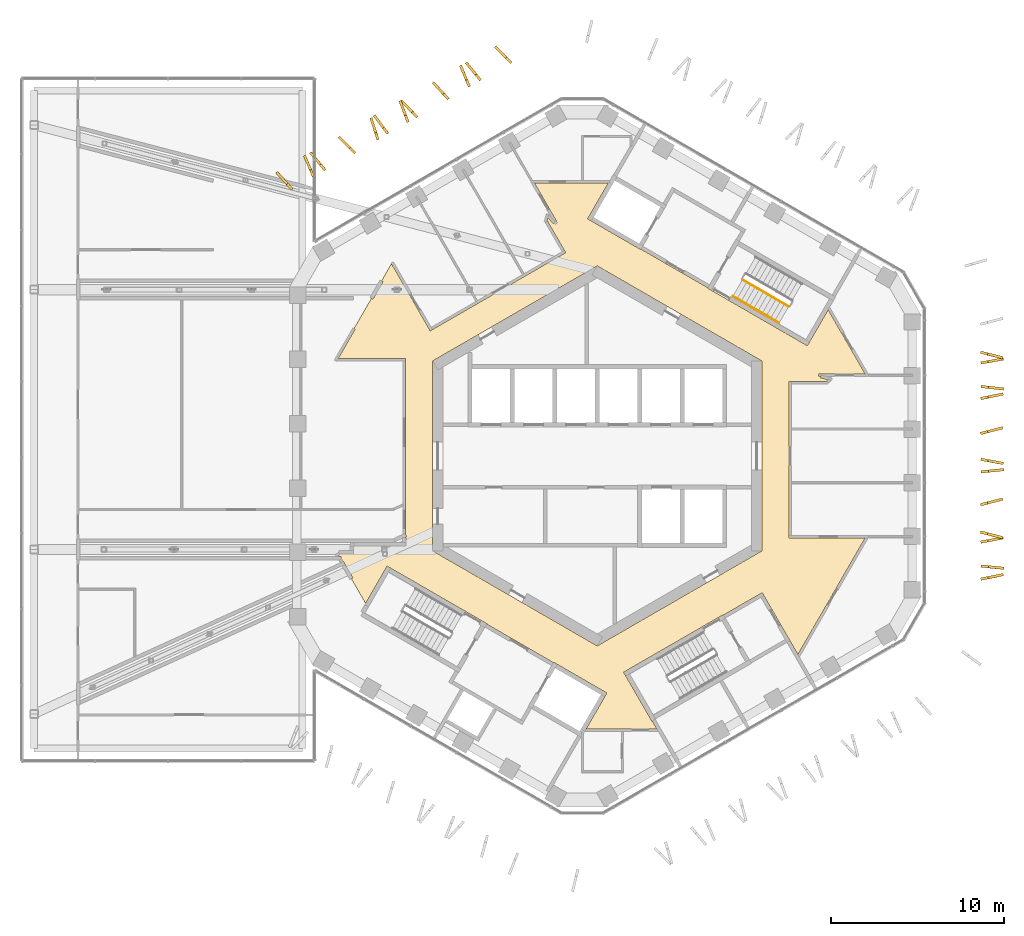
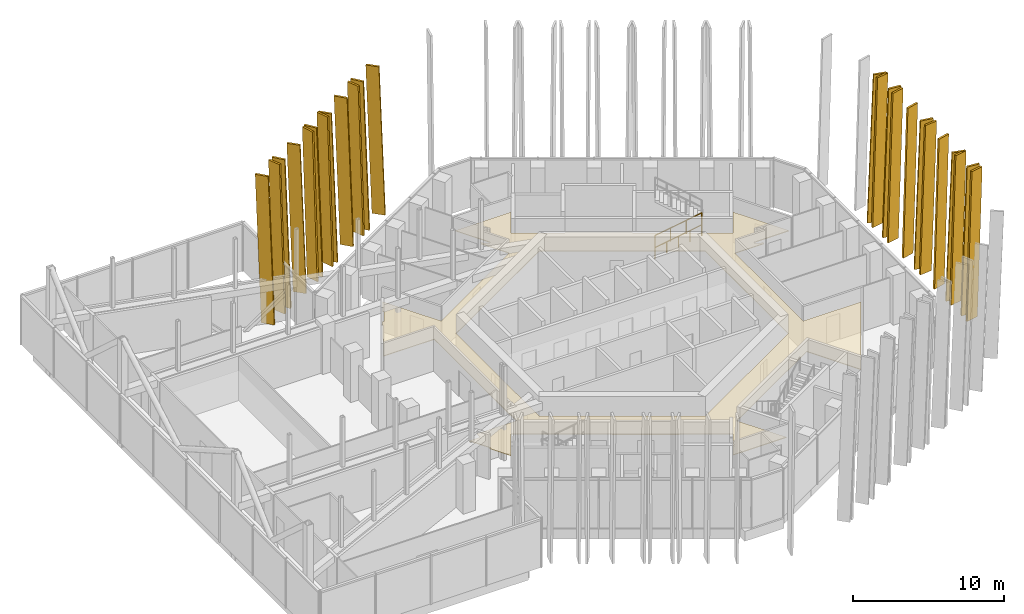
# One storey, part 27 of 28: 24 shading devices, 3 railings, 1 covering.
"""IFC4 building model written with IfcOpenShell, lengths in metres."""

from ifc_helpers import new_model, si_unit, direction, frame, origin, origin_2d, place, context, subcontext, project, spatial, polyline, circle, outline, extrude, material, layer, layer_set, type_object, element, save


model = new_model("IFC4")

# Units and contexts
model_context = context("Model", 3, precision=1e-05, world=origin(), true_north=direction((0.0, 1.0)))
body_context = subcontext(model_context, "Body", "Model", "MODEL_VIEW")
ifc_project = project(units=[si_unit("LENGTHUNIT", "METRE"), si_unit("AREAUNIT", "SQUARE_METRE"), si_unit("VOLUMEUNIT", "CUBIC_METRE"), si_unit("PLANEANGLEUNIT", "RADIAN"), si_unit("MASSUNIT", "GRAM", prefix="KILO")], contexts=[model_context])

# Site, building, storey
site_placement = place(None, origin())
site = spatial("IfcSite", under=ifc_project, at=site_placement, CompositionType="ELEMENT")
building_placement = place(site_placement, origin())
building = spatial("IfcBuilding", under=site, at=building_placement, Name="Ayvan Gate Tower", CompositionType="ELEMENT")
storey_placement = place(building_placement, frame((0.0, 0.0, 202.10009765625)))
storey = spatial("IfcBuildingStorey", under=building, at=storey_placement, Name="L54", CompositionType="ELEMENT", Elevation=202.10009765625)

# Shading devices
ifc_material_1 = material(Name="Bronze anodised aluminium", Category="aluminium")
ifc_layer_1 = layer(ifc_material_1, 0.14990234375)
ifc_layer_set_1 = layer_set([ifc_layer_1], Name="Bronze anodised aluminium")
shading_device_type = type_object("IfcShadingDeviceType", Name="Bronze fin 900 x 150", PredefinedType="USERDEFINED", material=ifc_layer_set_1)
shading_device_1_placement = place(storey_placement, frame((22.15576171875, -7.187744140625, 0.0), z_axis=(0.197785453148, -0.98024532541, 0.000128590982), x_axis=(0.980245333514, 0.197785454783, 0.0)))
element("IfcShadingDevice", 1, at=shading_device_1_placement, inside=storey, type_object=shading_device_type, Name="Bronze fin FG20.5.33", ObjectType="FIN", PredefinedType="USERDEFINED", context=body_context, shape_type="SweptSolid", body=[
    extrude(outline(polyline([(0.0, 0.0), (0.8998564420223286, 0.0), (1.324315111980498, 11.879882910720738), (0.4244586699581694, 11.879882910720738), (0.0, 0.0)])), origin(), (0.0, 0.0, -1.0), 0.14990234375),
])
shading_device_2_placement = place(storey_placement, frame((22.149658203125, -6.43212890625, 0.0), z_axis=(-0.098200983143, -0.99516659298, 0.000138295933), x_axis=(0.995166602497, -0.098200984082, -1.842e-09)))
element("IfcShadingDevice", 2, at=shading_device_2_placement, inside=storey, type_object=shading_device_type, Name="Bronze fin FG20.5.34", ObjectType="FIN", PredefinedType="USERDEFINED", context=body_context, shape_type="SweptSolid", body=[
    extrude(outline(polyline([(0.0, 0.0), (0.8998583628409434, 0.0), (1.3243550085111564, 11.87988292854579), (0.42425368507389993, 11.879882925229717), (0.0, 0.0)])), origin(), (0.0, 0.0, -1.0), 0.14990234375),
])
shading_device_3_placement = place(storey_placement, frame((22.1572265625, -5.049072265625, 0.0), z_axis=(0.187317787217, -0.982299359178, 0.000124703916), x_axis=(0.982299366816, 0.187317788671, -1.6616e-08)))
element("IfcShadingDevice", 3, at=shading_device_3_placement, inside=storey, type_object=shading_device_type, Name="Bronze fin FG20.5.35", ObjectType="FIN", PredefinedType="USERDEFINED", context=body_context, shape_type="SweptSolid", body=[
    extrude(outline(polyline([(0.0, 0.0), (0.8999402542539706, 0.0), (1.3242545650703808, 11.879882926875931), (0.4242685789344102, 11.879882896968779), (0.0, 0.0)])), origin(), (0.0, 0.0, -1.0), 0.14990234375),
])
shading_device_4_placement = place(storey_placement, frame((22.109375, -4.465087890625, 0.0), z_axis=(-0.249869811456, -0.968279432234, 0.000135779599), x_axis=(0.968279441159, -0.24986981376, 0.0)))
element("IfcShadingDevice", 4, at=shading_device_4_placement, inside=storey, type_object=shading_device_type, Name="Bronze fin FG20.5.36", ObjectType="FIN", PredefinedType="USERDEFINED", context=body_context, shape_type="SweptSolid", body=[
    extrude(outline(polyline([(0.0, 0.0), (0.8998826718676978, -3.3881317890172014e-21), (1.3243199615753416, 11.879882922009354), (0.4244372897076439, 11.879882922009354), (0.0, 0.0)])), origin(), (0.0, 0.0, -1.0), 0.14990234375),
])
shading_device_5_placement = place(storey_placement, frame((22.146240234375, -2.89404296875, 0.0), z_axis=(0.25216236163, -0.967684931615, 0.000128463259), x_axis=(0.9676849396, 0.252162363709, -1.6863e-08)))
element("IfcShadingDevice", 5, at=shading_device_5_placement, inside=storey, type_object=shading_device_type, Name="Bronze fin FG20.5.37", ObjectType="FIN", PredefinedType="USERDEFINED", context=body_context, shape_type="SweptSolid", body=[
    extrude(outline(polyline([(0.0, 0.0), (0.8999001502536433, 3.3881317890172014e-21), (1.3244337964392525, 11.879882932859328), (0.4244720831085318, 11.87988290250869), (0.0, 0.0)])), origin(), (0.0, 0.0, -1.0), 0.14990234375),
])
shading_device_6_placement = place(storey_placement, frame((22.164306640625, -0.99755859375, 0.0), z_axis=(0.100390185749, -0.994948138224, 0.000113358687), x_axis=(0.994948144616, 0.100390186394, 0.0)))
element("IfcShadingDevice", 6, at=shading_device_6_placement, inside=storey, type_object=shading_device_type, Name="Bronze fin FG20.5.39", ObjectType="FIN", PredefinedType="USERDEFINED", context=body_context, shape_type="SweptSolid", body=[
    extrude(outline(polyline([(0.0, 0.0), (0.8998093787291055, 0.0), (1.3242077126140708, 11.87988288882939), (0.4243983338849653, 11.87988288882939), (0.0, 0.0)])), origin(), (0.0, 0.0, -1.0), 0.14990234375),
])
shading_device_7_placement = place(storey_placement, frame((22.130615234375, -0.269287109375, 0.0), z_axis=(-0.181749264058, -0.983344898823, 0.000122365863), x_axis=(0.983344906185, -0.181749265419, 0.0)))
element("IfcShadingDevice", 7, at=shading_device_7_placement, inside=storey, type_object=shading_device_type, Name="Bronze fin FG20.5.40", ObjectType="FIN", PredefinedType="USERDEFINED", context=body_context, shape_type="SweptSolid", body=[
    extrude(outline(polyline([(0.0, 0.0), (0.8999993390504741, -3.3881317890172014e-21), (1.3242820689957746, 11.879882901441148), (0.42428272994530053, 11.879882901441148), (0.0, 0.0)])), origin(), (0.0, 0.0, -1.0), 0.14990234375),
])
shading_device_8_placement = place(storey_placement, frame((22.1474609375, 1.2236328125, 0.0), z_axis=(0.246619052782, -0.969112493439, 0.00013366356), x_axis=(0.969112502096, 0.246619054985, 0.0)))
element("IfcShadingDevice", 8, at=shading_device_8_placement, inside=storey, type_object=shading_device_type, Name="Bronze fin FG20.5.41", ObjectType="FIN", PredefinedType="USERDEFINED", context=body_context, shape_type="SweptSolid", body=[
    extrude(outline(polyline([(0.0, 0.0), (0.899864887321148, 3.3881317890172014e-21), (1.3242534688508445, 11.879882918622682), (0.4243885815296967, 11.879882918622682), (0.0, 0.0)])), origin(), (0.0, 0.0, -1.0), 0.14990234375),
])
shading_device_9_placement = place(storey_placement, frame((22.155029296875, 3.23779296875, 0.0), z_axis=(0.202762568505, -0.979227922814, 0.00012647105), x_axis=(0.979227930646, 0.202762570125, -1.6797e-08)))
element("IfcShadingDevice", 9, at=shading_device_9_placement, inside=storey, type_object=shading_device_type, Name="Bronze fin FG20.5.43", ObjectType="FIN", PredefinedType="USERDEFINED", context=body_context, shape_type="SweptSolid", body=[
    extrude(outline(polyline([(0.0, 0.0), (0.9000186693148673, 3.3881317890172014e-21), (1.3244468078299123, 11.879882929755752), (0.4243786359344481, 11.879882899519574), (0.0, 0.0)])), origin(), (0.0, 0.0, -1.0), 0.14990234375),
])
shading_device_10_placement = place(storey_placement, frame((22.1474609375, 3.93212890625, 0.0), z_axis=(-0.109329756423, -0.994005527384, 0.000126061073), x_axis=(0.994005535282, -0.109329757292, 0.0)))
element("IfcShadingDevice", 10, at=shading_device_10_placement, inside=storey, type_object=shading_device_type, Name="Bronze fin FG20.5.44", ObjectType="FIN", PredefinedType="USERDEFINED", context=body_context, shape_type="SweptSolid", body=[
    extrude(outline(polyline([(0.0, 0.0), (0.8999258235987503, 1.6940658945086007e-21), (1.3244258836191662, 11.879882906893952), (0.424500060020416, 11.879882906893952), (0.0, 0.0)])), origin(), (0.0, 0.0, -1.0), 0.14990234375),
])
shading_device_11_placement = place(storey_placement, frame((22.158447265625, 5.292724609375, 0.0), z_axis=(0.176044115008, -0.984382270207, 0.000125191772), x_axis=(0.984382277921, 0.176044116388, 0.0)))
element("IfcShadingDevice", 11, at=shading_device_11_placement, inside=storey, type_object=shading_device_type, Name="Bronze fin FG20.5.45", ObjectType="FIN", PredefinedType="USERDEFINED", context=body_context, shape_type="SweptSolid", body=[
    extrude(outline(polyline([(0.0, 0.0), (0.900042948757702, 0.0), (1.3244129340013948, 11.879882905596585), (0.4243699852436926, 11.879882905596585), (0.0, 0.0)])), origin(), (0.0, 0.0, -1.0), 0.14990234375),
])
shading_device_12_placement = place(storey_placement, frame((22.110595703125, 5.9150390625, 0.0), z_axis=(-0.245757437975, -0.969331351659, 0.000111222539), x_axis=(0.969331357655, -0.245757439495, 3.707e-09)))
element("IfcShadingDevice", 12, at=shading_device_12_placement, inside=storey, type_object=shading_device_type, Name="Bronze fin FG20.5.46", ObjectType="FIN", PredefinedType="USERDEFINED", context=body_context, shape_type="SweptSolid", body=[
    extrude(outline(polyline([(0.0, 0.0), (0.9001578399513326, 0.0), (1.324474853828847, 11.8798828810703), (0.4245536670410042, 11.879882887742705), (0.0, 0.0)])), origin(), (0.0, 0.0, -1.0), 0.14990234375),
])
shading_device_13_placement = place(storey_placement, frame((-4.904541015625, 22.7392578125, 0.0), z_axis=(0.707987820167, 0.70622463211, 0.000124483452), x_axis=(-0.70622463758, 0.707987825654, -1.1955e-08)))
element("IfcShadingDevice", 13, at=shading_device_13_placement, inside=storey, type_object=shading_device_type, Name="Bronze fin FG20.9.65", ObjectType="FIN", PredefinedType="USERDEFINED", context=body_context, shape_type="SweptSolid", body=[
    extrude(outline(polyline([(0.0, 0.0), (0.8999391983835462, 0.0), (1.3246158239949715, 11.87988292038133), (0.424504207487016, 11.879882898862482), (0.0, 0.0)])), origin(), (0.0, 0.0, -1.0), 0.14990234375),
])
shading_device_14_placement = place(storey_placement, frame((-6.67919921875, 21.732421875, 0.0), z_axis=(0.776536941046, 0.630071712906, 0.000125649601), x_axis=(-0.630071717879, 0.776536947175, 0.0)))
element("IfcShadingDevice", 14, at=shading_device_14_placement, inside=storey, type_object=shading_device_type, Name="Bronze fin FG20.9.67", ObjectType="FIN", PredefinedType="USERDEFINED", context=body_context, shape_type="SweptSolid", body=[
    extrude(outline(polyline([(0.0, 0.0), (0.9001176465813083, 0.0), (1.3245067141021671, 11.879882906278741), (0.4243890675208589, 11.879882906278741), (0.0, 0.0)])), origin(), (0.0, 0.0, -1.0), 0.14990234375),
])
shading_device_15_placement = place(storey_placement, frame((-7.314453125, 21.345703125, 0.0), z_axis=(0.923725717653, 0.383054541359, 0.000129967076), x_axis=(-0.383054544594, 0.923725725454, 0.0)))
element("IfcShadingDevice", 15, at=shading_device_15_placement, inside=storey, type_object=shading_device_type, Name="Bronze fin FG20.9.68", ObjectType="FIN", PredefinedType="USERDEFINED", context=body_context, shape_type="SweptSolid", body=[
    extrude(outline(polyline([(0.0, 0.0), (0.8999411894868824, 0.0), (1.3245185131186448, 11.879882912834173), (0.42457732363176237, 11.879882912834173), (0.0, 0.0)])), origin(), (0.0, 0.0, -1.0), 0.14990234375),
])
shading_device_16_placement = place(storey_placement, frame((-8.537109375, 20.65087890625, 0.0), z_axis=(0.736511954234, 0.676424514874, 0.000130182511), x_axis=(-0.676424520605, 0.736511960476, -1.3006e-08)))
element("IfcShadingDevice", 16, at=shading_device_16_placement, inside=storey, type_object=shading_device_type, Name="Bronze fin FG20.9.69", ObjectType="FIN", PredefinedType="USERDEFINED", context=body_context, shape_type="SweptSolid", body=[
    extrude(outline(polyline([(0.0, 0.0), (0.8998916754298778, -6.776263578034403e-21), (1.3243657934761637, 11.879882930392116), (0.4243089753410603, 11.879882906981527), (0.0, 0.0)])), origin(), (0.0, 0.0, -1.0), 0.14990234375),
])
shading_device_17_placement = place(storey_placement, frame((-10.33984375, 19.60595703125, 0.0), z_axis=(0.722400257549, 0.691475124481, 0.000141835802), x_axis=(-0.691475131436, 0.722400264815, 0.0)))
element("IfcShadingDevice", 17, at=shading_device_17_placement, inside=storey, type_object=shading_device_type, Name="Bronze fin FG20.9.71", ObjectType="FIN", PredefinedType="USERDEFINED", context=body_context, shape_type="SweptSolid", body=[
    extrude(outline(polyline([(0.0, 0.0), (0.899980960750526, 1.3552527156068805e-20), (1.3243787183011846, 11.879882931996148), (0.42439775755065856, 11.879882931996148), (0.0, 0.0)])), origin(), (0.0, 0.0, -1.0), 0.14990234375),
])
shading_device_18_placement = place(storey_placement, frame((-10.8515625, 19.294677734375, 0.0), z_axis=(0.936072537231, 0.35180703587, 0.000120639585), x_axis=(-0.35180703843, 0.936072544043, 0.0)))
element("IfcShadingDevice", 18, at=shading_device_18_placement, inside=storey, type_object=shading_device_type, Name="Bronze fin FG20.9.72", ObjectType="FIN", PredefinedType="USERDEFINED", context=body_context, shape_type="SweptSolid", body=[
    extrude(outline(polyline([(0.0, 0.0), (0.9000683785000154, -6.776263578034403e-21), (1.324429420194637, 11.87988289894937), (0.4243610416946214, 11.87988289894937), (0.0, 0.0)])), origin(), (0.0, 0.0, -1.0), 0.14990234375),
])
shading_device_19_placement = place(storey_placement, frame((-12.023193359375, 18.650390625, 0.0), z_axis=(0.798924434846, 0.601431399679, 0.000137424835), x_axis=(-0.601431405358, 0.79892444239, 0.0)))
element("IfcShadingDevice", 19, at=shading_device_19_placement, inside=storey, type_object=shading_device_type, Name="Bronze fin FG20.9.73", ObjectType="FIN", PredefinedType="USERDEFINED", context=body_context, shape_type="SweptSolid", body=[
    extrude(outline(polyline([(0.0, 0.0), (0.8999526143845087, 0.0), (1.3244191084621977, 11.87988292467927), (0.424466494077689, 11.87988292467927), (0.0, 0.0)])), origin(), (0.0, 0.0, -1.0), 0.14990234375),
])
shading_device_20_placement = place(storey_placement, frame((-12.586181640625, 18.277587890625, 0.0), z_axis=(0.95220339844, 0.305464679955, 0.000131527106), x_axis=(-0.305464682598, 0.952203406676, 0.0)))
element("IfcShadingDevice", 20, at=shading_device_20_placement, inside=storey, type_object=shading_device_type, Name="Bronze fin FG20.9.74", ObjectType="FIN", PredefinedType="USERDEFINED", context=body_context, shape_type="SweptSolid", body=[
    extrude(outline(polyline([(0.0, 0.0), (0.899948044442863, 0.0), (1.3242709853096806, 11.879882915257305), (0.42432294086681743, 11.879882915257305), (0.0, 0.0)])), origin(), (0.0, 0.0, -1.0), 0.14990234375),
])
shading_device_21_placement = place(storey_placement, frame((-13.927734375, 17.530029296875, 0.0), z_axis=(0.708664795696, 0.705545314298, 0.000129664821), x_axis=(-0.705545320231, 0.708664801652, 1.2409e-08)))
element("IfcShadingDevice", 21, at=shading_device_21_placement, inside=storey, type_object=shading_device_type, Name="Bronze fin FG20.9.75", ObjectType="FIN", PredefinedType="USERDEFINED", context=body_context, shape_type="SweptSolid", body=[
    extrude(outline(polyline([(0.0, 0.0), (0.8999403905847758, -6.776263578034403e-21), (1.3244441184812237, 11.879882895932756), (0.42433071402885697, 11.879882918269963), (0.0, 0.0)])), origin(), (0.0, 0.0, -1.0), 0.14990234375),
])
shading_device_22_placement = place(storey_placement, frame((-15.65673828125, 16.5478515625, 0.0), z_axis=(0.768899003521, 0.639370242123, 0.00012598521), x_axis=(-0.639370247196, 0.768899009624, -1.0924e-08)))
element("IfcShadingDevice", 22, at=shading_device_22_placement, inside=storey, type_object=shading_device_type, Name="Bronze fin FG20.9.77", ObjectType="FIN", PredefinedType="USERDEFINED", context=body_context, shape_type="SweptSolid", body=[
    extrude(outline(polyline([(0.0, 0.0), (0.9001036047179115, -6.776263578034403e-21), (1.3243492456159227, 11.879882921247825), (0.42443336038278245, 11.879882901584057), (0.0, 0.0)])), origin(), (0.0, 0.0, -1.0), 0.14990234375),
])
shading_device_23_placement = place(storey_placement, frame((-16.3115234375, 16.15380859375, 0.0), z_axis=(0.919453421403, 0.39319891852, 0.000127847527), x_axis=(-0.393198921731, 0.919453428918, -2.276e-08)))
element("IfcShadingDevice", 23, at=shading_device_23_placement, inside=storey, type_object=shading_device_type, Name="Bronze fin FG20.9.78", ObjectType="FIN", PredefinedType="USERDEFINED", context=body_context, shape_type="SweptSolid", body=[
    extrude(outline(polyline([(0.0, 0.0), (0.9000713773489211, 0.0), (1.3245718219385154, 11.879882939735744), (0.4246289246938881, 11.879882898767146), (0.0, 0.0)])), origin(), (0.0, 0.0, -1.0), 0.14990234375),
])
shading_device_24_placement = place(storey_placement, frame((-17.55712890625, 15.44384765625, 0.0), z_axis=(0.739553327318, 0.673097957726, 0.00012392828), x_axis=(-0.673097962892, 0.739553332999, -2.3743e-08)))
element("IfcShadingDevice", 24, at=shading_device_24_placement, inside=storey, type_object=shading_device_type, Name="Bronze fin FG20.9.79", ObjectType="FIN", PredefinedType="USERDEFINED", context=body_context, shape_type="SweptSolid", body=[
    extrude(outline(polyline([(0.0, 0.0), (0.9000776330626545, 0.0), (1.3244567274562975, 11.879882935173493), (0.4243953188492355, 11.879882892432802), (0.0, 0.0)])), origin(), (0.0, 0.0, -1.0), 0.14990234375),
])

# Covering
ifc_material_2 = material(Name="Plasterboard suspended ceiling")
ifc_layer_2 = layer(ifc_material_2, 0.050048828125)
ifc_layer_set_2 = layer_set([ifc_layer_2], Name="Plasterboard suspended ceiling")
covering_type = type_object("IfcCoveringType", Name="CT-SUSP-50", PredefinedType="CEILING", material=ifc_layer_set_2)
covering_placement = place(storey_placement, frame((0.0, 0.0, 2.39990234375)))
element("IfcCovering", 25, at=covering_placement, inside=storey, type_object=covering_type, Name="Ceiling Ring Corridor L54", PredefinedType="CEILING", context=body_context, shape_type="SweptSolid", body=[
    extrude(outline(polyline([(-14.781982421875, -5.800048828125), (-14.939697265625, -5.800048828125), (-14.9619140625, -5.761474609375), (-14.875244140625, -5.71142578125), (-14.9052734375, -5.659423828125), (-14.080078125, -5.659423828125), (-14.080078125, -5.24609375), (-14.068359375, -5.24755859375), (-14.0634765625, -5.20947265625), (-11.050048828125, -5.20947265625), (-11.050048828125, -4.702880859375), (-11.1279296875, -4.702880859375), (-11.017578125, -4.65234375), (-11.074951171875, -4.5263671875), (-11.074951171875, 5.634521484375), (-14.948486328125, 5.634521484375), (-13.97412109375, 7.322021484375), (-14.039306640625, 7.359619140625), (-13.034423828125, 9.099853515625), (-12.94775390625, 9.0498046875), (-12.370361328125, 10.050048828125), (-12.456787109375, 10.10009765625), (-11.8798828125, 11.099609375), (-9.64111328125, 7.221923828125), (-9.510986328125, 7.297119140625), (-1.82373046875, 11.7353515625), (-1.888671875, 11.847900390625), (-2.87109375, 13.549560546875), (-2.90966796875, 13.52734375), (-2.84716796875, 13.7470703125), (-2.54052734375, 13.428955078125), (-2.49853515625, 13.469482421875), (-2.39013671875, 13.358154296875), (-2.28271484375, 13.462890625), (-2.375732421875, 13.558349609375), (-2.361328125, 13.566650390625), (-3.62939453125, 15.76318359375), (0.642578125, 15.76318359375), (-0.55615234375, 13.686767578125), (-0.339599609375, 13.561767578125), (2.518310546875, 11.91162109375), (2.53076171875, 11.933349609375), (6.384521484375, 9.70849609375), (6.3720703125, 9.686767578125), (6.588623046875, 9.561767578125), (12.131103515625, 6.36181640625), (12.24609375, 6.56103515625), (13.329833984375, 8.43798828125), (15.4658203125, 4.73828125), (12.9296875, 4.73828125), (12.9296875, 4.7216796875), (12.800537109375, 4.754638671875), (12.763427734375, 4.609130859375), (12.9140625, 4.57080078125), (12.899658203125, 4.512939453125), (13.328369140625, 4.406005859375), (13.24365234375, 4.319580078125), (13.275390625, 4.288330078125), (11.074951171875, 4.288330078125), (11.074951171875, -4.73828125), (15.4658203125, -4.73828125), (11.58349609375, -11.463134765625), (11.1337890625, -10.6845703125), (11.123779296875, -10.667236328125), (9.623779296875, -8.069091796875), (9.52392578125, -7.89599609375), (7.2939453125, -9.183349609375), (7.281494140625, -9.16162109375), (1.522216796875, -12.48681640625), (1.647216796875, -12.703369140625), (3.147216796875, -15.30126953125), (3.1689453125, -15.288818359375), (3.44287109375, -15.76318359375), (-0.642578125, -15.76318359375), (0.43115234375, -13.9033203125), (0.55615234375, -13.686767578125), (-2.284423828125, -12.046630859375), (-2.518310546875, -11.91162109375), (-2.53076171875, -11.933349609375), (-6.384521484375, -9.70849609375), (-6.3720703125, -9.686767578125), (-11.897216796875, -6.49658203125), (-12.131103515625, -6.36181640625), (-13.373291015625, -8.51318359375), (-14.194580078125, -7.090576171875), (-14.10791015625, -7.04052734375), (-14.560302734375, -6.257080078125), (-14.568115234375, -6.26171875), (-14.6474609375, -6.087890625), (-14.678466796875, -6.10205078125), (-14.766845703125, -5.948974609375), (-14.781982421875, -5.95751953125), (-14.781982421875, -5.800048828125)]), holes=[polyline([(-0.300048828125, -10.79638671875), (0.0, -10.9697265625), (1.529296875, -10.086669921875), (8.38720703125, -6.127197265625), (9.199951171875, -5.657958984375), (9.5, -5.48486328125), (9.5, 5.48486328125), (0.300048828125, 10.79638671875), (0.0, 10.9697265625), (-8.78857421875, 5.8955078125), (-9.37060546875, 5.5595703125), (-9.5, 5.48486328125), (-9.5, -5.48486328125), (-9.199951171875, -5.657958984375), (-0.300048828125, -10.79638671875)]), polyline([(-13.40283203125, -5.5595703125), (-13.3720703125, -5.5595703125), (-13.40185546875, -5.552001953125), (-13.40283203125, -5.5595703125)])]), origin(), (0.0, 0.0, 1.0), 0.050048828125),
])

# Railings
ifc_material_3 = material(Name="Stainless steel balustrade", Category="steel")
railing_type_1 = type_object("IfcRailingType", Name="RL-GUARD-1100", PredefinedType="GUARDRAIL", material=ifc_material_3)
railing_placement = place(storey_placement, frame((8.381103515625, 10.16650390625, 0.16650390625)))
element("IfcRailing", 26, at=railing_placement, inside=storey, type_object=railing_type_1, Name="L54 STS1 stair guard 1", PredefinedType="GUARDRAIL", context=body_context, shape_type="SweptSolid", body=[
    extrude(circle(Radius=0.02392578125, at=origin_2d()), frame((0.0, 0.0, 1.076171875), z_axis=(0.7441639146, -0.429634447492, 0.511502013422), x_axis=(0.499992328818, 0.866029832698, 0.0)), (0.0, 0.0, 1.0), 3.58447265625),
    extrude(circle(Radius=0.02099609375, at=origin_2d()), origin(), (0.0, 0.0, 1.0), 1.052001953125),
    extrude(circle(Radius=0.02099609375, at=origin_2d()), frame((0.88916015625, -0.513427734375, 0.611083984375)), (0.0, 0.0, 1.0), 1.052001953125),
    extrude(circle(Radius=0.02099609375, at=origin_2d()), frame((1.7783203125, -1.026611328125, 1.222412109375)), (0.0, 0.0, 1.0), 1.052001953125),
    extrude(circle(Radius=0.02099609375, at=origin_2d()), frame((2.66748046875, -1.5400390625, 1.83349609375)), (0.0, 0.0, 1.0), 1.052001953125),
])
railing_type_2 = type_object("IfcRailingType", Name="RL-HANDRAIL-900", PredefinedType="HANDRAIL", material=ifc_material_3)
for number, where, name in (
    (27, (7.8310546875, 9.2138671875, 0.16650390625), "L54 STS1 stair handrail 1"),
    (28, (9.164794921875, 8.44384765625, 1.083251953125), "L54 STS1 stair handrail 2"),
):
    element("IfcRailing", number, at=place(storey_placement, frame(where)), inside=storey, type_object=railing_type_2, Name=name, PredefinedType="HANDRAIL", context=body_context, shape_type="SweptSolid", body=[
        extrude(circle(Radius=0.02392578125, at=origin_2d()), frame((0.0, 0.0, 0.8759765625), z_axis=(0.7441639146, -0.429634447492, 0.511502013422), x_axis=(0.499992328818, 0.866029832698, 0.0)), (0.0, 0.0, 1.0), 1.792236328125),
        extrude(circle(Radius=0.02099609375, at=origin_2d()), origin(), (0.0, 0.0, 1.0), 0.851806640625),
        extrude(circle(Radius=0.02099609375, at=origin_2d()), frame((0.6669921875, -0.385009765625, 0.45849609375)), (0.0, 0.0, 1.0), 0.851806640625),
        extrude(circle(Radius=0.02099609375, at=origin_2d()), frame((1.333740234375, -0.77001953125, 0.916748046875)), (0.0, 0.0, 1.0), 0.851806640625),
    ])

save(model, "model.ifc")
